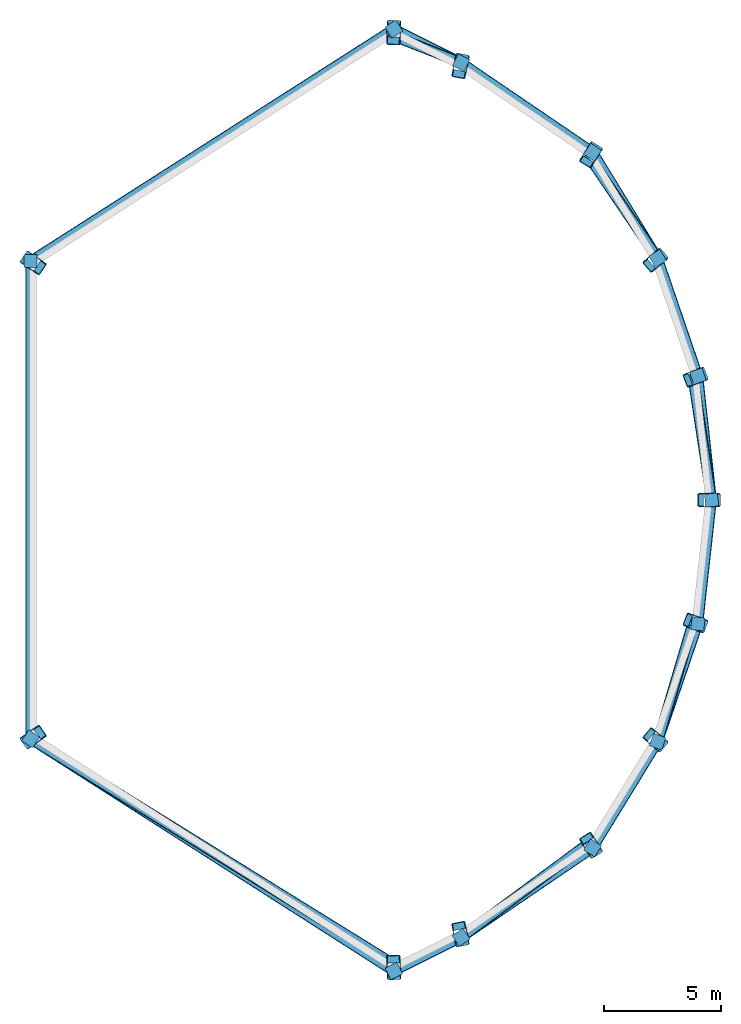
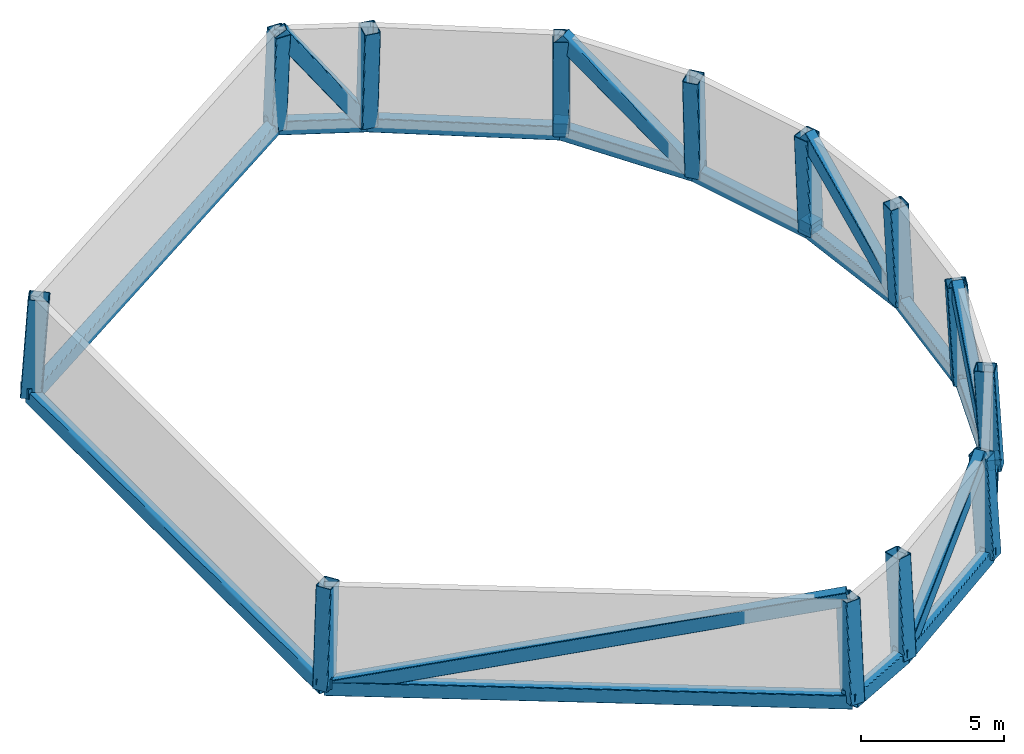
# One storey, part 1 of 2: 32 members, 13 discrete accessories.
"""IFC4 building model written with IfcOpenShell, lengths in metres."""

from ifc_helpers import new_model, si_unit, direction, frame, origin, origin_2d, place, context, subcontext, project, spatial, rectangle, hollow_rectangle, extrude, material, material_profile, profile_set, type_object, element, save


model = new_model("IFC4")

# Units and contexts
model_context = context("Model", 3, precision=1e-05, world=origin(), true_north=direction((0.0, 1.0)))
body_context = subcontext(model_context, "Body", "Model", "MODEL_VIEW")
ifc_project = project(units=[si_unit("LENGTHUNIT", "METRE"), si_unit("AREAUNIT", "SQUARE_METRE"), si_unit("VOLUMEUNIT", "CUBIC_METRE"), si_unit("PLANEANGLEUNIT", "RADIAN"), si_unit("MASSUNIT", "GRAM", prefix="KILO")], contexts=[model_context])

# Site, building, storey
site_placement = place(None, origin())
site = spatial("IfcSite", under=ifc_project, at=site_placement, CompositionType="ELEMENT")
building_placement = place(site_placement, origin())
building = spatial("IfcBuilding", under=site, at=building_placement, Name="Qorvath Tower", CompositionType="ELEMENT")
storey_placement = place(building_placement, frame((0.0, 0.0, 331.199951171875)))
storey = spatial("IfcBuildingStorey", under=building, at=storey_placement, Name="L77", CompositionType="ELEMENT", Elevation=331.199951171875)

# Members
ifc_material_1 = material(Name="Steel ASTM A572 Grade 50", Category="steel")
ifc_material_profile_1 = material_profile(ifc_material_1, hollow_rectangle(XDim=0.60009765625, YDim=0.75, WallThickness=0.031982421875, InnerFilletRadius=0.031982421875, OuterFilletRadius=0.06396484375, at=origin_2d()), Name="CROWN BOX 750x600x32")
ifc_profile_set_1 = profile_set([ifc_material_profile_1], Name="Steel ASTM A572 Grade 50")
member_type_1 = type_object("IfcMemberType", Name="MEM-CF1", PredefinedType="USERDEFINED", material=ifc_profile_set_1)
for number, where, z_axis, x_axis, name in (
    (1, (-34.725830078125, 10.2099609375, 0.0), (0.053308422314, -0.036950451593, 0.997894220966), (0.569674928539, 0.821870108834, 0.0), "CROWN FRAME Post L77-01"),
    (2, (-34.725830078125, -10.2099609375, 0.0), (0.053308422314, 0.036950451593, 0.997894220966), (-0.569674928539, 0.821870108834, 0.0), "CROWN FRAME Post L77-02"),
):
    element("IfcMember", number, at=place(storey_placement, frame(where, z_axis=z_axis, x_axis=x_axis)), inside=storey, type_object=member_type_1, Name=name, ObjectType="CROWN FRAME", PredefinedType="USERDEFINED", context=body_context, shape_type="SweptSolid", body=[
        extrude(hollow_rectangle(XDim=0.60009765625, YDim=0.75, WallThickness=0.031982421875, InnerFilletRadius=0.031982421875, OuterFilletRadius=0.06396484375, at=origin_2d()), origin(), (0.0, 0.0, 1.0), 4.208740234375),
    ])
member_1_placement = place(storey_placement, frame((-19.19873046875, -20.133544921875, 0.0), z_axis=(-0.002898741935, 0.072816397399, 0.997341150041), x_axis=(-0.999208565601, -0.039777411051, 0.0)))
element("IfcMember", 3, at=member_1_placement, inside=storey, type_object=member_type_1, Name="CROWN FRAME Post L77-03", ObjectType="CROWN FRAME", PredefinedType="USERDEFINED", context=body_context, shape_type="SweptSolid", body=[
    extrude(hollow_rectangle(XDim=0.60009765625, YDim=0.75, WallThickness=0.031982421875, InnerFilletRadius=0.031982421875, OuterFilletRadius=0.06396484375, at=origin_2d()), origin(), (0.0, 0.0, 1.0), 4.211181640625),
])
member_2_placement = place(storey_placement, frame((-16.322509765625, -18.695556640625, 0.0), z_axis=(-0.013337969735, 0.067617707439, 0.997622145005), x_axis=(-0.98109505447, -0.19352646872, 0.0)))
element("IfcMember", 4, at=member_2_placement, inside=storey, type_object=member_type_1, Name="CROWN FRAME Post L77-04", ObjectType="CROWN FRAME", PredefinedType="USERDEFINED", context=body_context, shape_type="SweptSolid", body=[
    extrude(hollow_rectangle(XDim=0.60009765625, YDim=0.75, WallThickness=0.031982421875, InnerFilletRadius=0.031982421875, OuterFilletRadius=0.06396484375, at=origin_2d()), origin(), (0.0, 0.0, 1.0), 4.2099609375),
])
member_3_placement = place(storey_placement, frame((-10.701416015625, -14.869384765625, 0.0), z_axis=(-0.033647039232, 0.053835262771, 0.997982786041), x_axis=(-0.847998304005, -0.529998940003, 0.0)))
element("IfcMember", 5, at=member_3_placement, inside=storey, type_object=member_type_1, Name="CROWN FRAME Post L77-05", ObjectType="CROWN FRAME", PredefinedType="USERDEFINED", context=body_context, shape_type="SweptSolid", body=[
    extrude(hollow_rectangle(XDim=0.60009765625, YDim=0.75, WallThickness=0.031982421875, InnerFilletRadius=0.031982421875, OuterFilletRadius=0.06396484375, at=origin_2d()), origin(), (0.0, 0.0, 1.0), 4.20849609375),
])
member_4_placement = place(storey_placement, frame((-7.9228515625, -10.328369140625, 0.0), z_axis=(-0.043756935107, 0.037373297359, 0.998342910665), x_axis=(-0.649461555151, -0.760394429478, 0.0)))
element("IfcMember", 6, at=member_4_placement, inside=storey, type_object=member_type_1, Name="CROWN FRAME Post L77-06", ObjectType="CROWN FRAME", PredefinedType="USERDEFINED", context=body_context, shape_type="SweptSolid", body=[
    extrude(hollow_rectangle(XDim=0.60009765625, YDim=0.75, WallThickness=0.031982421875, InnerFilletRadius=0.031982421875, OuterFilletRadius=0.06396484375, at=origin_2d()), origin(), (0.0, 0.0, 1.0), 4.20703125),
])
member_5_placement = place(storey_placement, frame((-6.20068359375, -5.291259765625, 0.0), z_axis=(-0.049977670564, 0.019155204746, 0.99856662801), x_axis=(-0.357888732889, -0.933764239447, 0.0)))
element("IfcMember", 7, at=member_5_placement, inside=storey, type_object=member_type_1, Name="CROWN FRAME Post L77-07", ObjectType="CROWN FRAME", PredefinedType="USERDEFINED", context=body_context, shape_type="SweptSolid", body=[
    extrude(hollow_rectangle(XDim=0.60009765625, YDim=0.75, WallThickness=0.031982421875, InnerFilletRadius=0.031982421875, OuterFilletRadius=0.06396484375, at=origin_2d()), origin(), (0.0, 0.0, 1.0), 4.2060546875),
])
member_6_placement = place(storey_placement, frame((-5.6171875, 0.0, 0.0), z_axis=(-0.052071330648, 0.0, 0.998643368037), x_axis=(0.0, -1.0, 0.0)))
element("IfcMember", 8, at=member_6_placement, inside=storey, type_object=member_type_1, Name="CROWN FRAME Post L77-08", ObjectType="CROWN FRAME", PredefinedType="USERDEFINED", context=body_context, shape_type="SweptSolid", body=[
    extrude(hollow_rectangle(XDim=0.60009765625, YDim=0.75, WallThickness=0.031982421875, InnerFilletRadius=0.031982421875, OuterFilletRadius=0.06396484375, at=origin_2d()), origin(), (0.0, 0.0, 1.0), 4.20556640625),
])
member_7_placement = place(storey_placement, frame((-6.20068359375, 5.291259765625, 0.0), z_axis=(-0.049977670564, -0.019155204746, 0.99856662801), x_axis=(0.357888732889, -0.933764239447, 0.0)))
element("IfcMember", 9, at=member_7_placement, inside=storey, type_object=member_type_1, Name="CROWN FRAME Post L77-09", ObjectType="CROWN FRAME", PredefinedType="USERDEFINED", context=body_context, shape_type="SweptSolid", body=[
    extrude(hollow_rectangle(XDim=0.60009765625, YDim=0.75, WallThickness=0.031982421875, InnerFilletRadius=0.031982421875, OuterFilletRadius=0.06396484375, at=origin_2d()), origin(), (0.0, 0.0, 1.0), 4.2060546875),
])
member_8_placement = place(storey_placement, frame((-7.9228515625, 10.328369140625, 0.0), z_axis=(-0.043756935107, -0.037373297359, 0.998342910665), x_axis=(0.649461555151, -0.760394429478, 0.0)))
element("IfcMember", 10, at=member_8_placement, inside=storey, type_object=member_type_1, Name="CROWN FRAME Post L77-10", ObjectType="CROWN FRAME", PredefinedType="USERDEFINED", context=body_context, shape_type="SweptSolid", body=[
    extrude(hollow_rectangle(XDim=0.60009765625, YDim=0.75, WallThickness=0.031982421875, InnerFilletRadius=0.031982421875, OuterFilletRadius=0.06396484375, at=origin_2d()), origin(), (0.0, 0.0, 1.0), 4.20703125),
])
member_9_placement = place(storey_placement, frame((-10.701416015625, 14.869384765625, 0.0), z_axis=(-0.033647039232, -0.053835262771, 0.997982786041), x_axis=(0.847998304005, -0.529998940003, 0.0)))
element("IfcMember", 11, at=member_9_placement, inside=storey, type_object=member_type_1, Name="CROWN FRAME Post L77-11", ObjectType="CROWN FRAME", PredefinedType="USERDEFINED", context=body_context, shape_type="SweptSolid", body=[
    extrude(hollow_rectangle(XDim=0.60009765625, YDim=0.75, WallThickness=0.031982421875, InnerFilletRadius=0.031982421875, OuterFilletRadius=0.06396484375, at=origin_2d()), origin(), (0.0, 0.0, 1.0), 4.20849609375),
])
member_10_placement = place(storey_placement, frame((-16.322509765625, 18.695556640625, 0.0), z_axis=(-0.013337969735, -0.067617707439, 0.997622145005), x_axis=(0.98109505447, -0.19352646872, 0.0)))
element("IfcMember", 12, at=member_10_placement, inside=storey, type_object=member_type_1, Name="CROWN FRAME Post L77-12", ObjectType="CROWN FRAME", PredefinedType="USERDEFINED", context=body_context, shape_type="SweptSolid", body=[
    extrude(hollow_rectangle(XDim=0.60009765625, YDim=0.75, WallThickness=0.031982421875, InnerFilletRadius=0.031982421875, OuterFilletRadius=0.06396484375, at=origin_2d()), origin(), (0.0, 0.0, 1.0), 4.2099609375),
])
member_11_placement = place(storey_placement, frame((-19.19873046875, 20.133544921875, 0.0), z_axis=(-0.002898741935, -0.072816397399, 0.997341150041), x_axis=(0.999208565601, -0.039777411051, 0.0)))
element("IfcMember", 13, at=member_11_placement, inside=storey, type_object=member_type_1, Name="CROWN FRAME Post L77-13", ObjectType="CROWN FRAME", PredefinedType="USERDEFINED", context=body_context, shape_type="SweptSolid", body=[
    extrude(hollow_rectangle(XDim=0.60009765625, YDim=0.75, WallThickness=0.031982421875, InnerFilletRadius=0.031982421875, OuterFilletRadius=0.06396484375, at=origin_2d()), origin(), (0.0, 0.0, 1.0), 4.211181640625),
])
ifc_material_2 = material(Name="Steel ASTM A572 Grade 50", Category="steel")
ifc_material_profile_2 = material_profile(ifc_material_2, hollow_rectangle(XDim=0.449951171875, YDim=0.60009765625, WallThickness=0.02490234375, InnerFilletRadius=0.02490234375, OuterFilletRadius=0.050048828125, at=origin_2d()), Name="CROWN BOX 600x450x25")
ifc_profile_set_2 = profile_set([ifc_material_profile_2], Name="Steel ASTM A572 Grade 50")
member_type_2 = type_object("IfcMemberType", Name="MEM-CF2", PredefinedType="USERDEFINED", material=ifc_profile_set_2)
member_12_placement = place(storey_placement, frame((-34.725830078125, 10.2099609375, 0.0), z_axis=(0.0, -1.0, 0.0), x_axis=(1.0, 0.0, 0.0)))
element("IfcMember", 14, at=member_12_placement, inside=storey, type_object=member_type_2, Name="CROWN FRAME Ring Beam L77-01", ObjectType="CROWN FRAME", PredefinedType="USERDEFINED", context=body_context, shape_type="SweptSolid", body=[
    extrude(hollow_rectangle(XDim=0.449951171875, YDim=0.60009765625, WallThickness=0.02490234375, InnerFilletRadius=0.02490234375, OuterFilletRadius=0.050048828125, at=origin_2d()), origin(), (0.0, 0.0, 1.0), 20.419921875),
])
member_13_placement = place(storey_placement, frame((-34.725830078125, -10.2099609375, 0.0), z_axis=(0.842610258925, -0.538523863496, 0.0), x_axis=(0.538523863496, 0.842610258925, 0.0)))
element("IfcMember", 15, at=member_13_placement, inside=storey, type_object=member_type_2, Name="CROWN FRAME Ring Beam L77-02", ObjectType="CROWN FRAME", PredefinedType="USERDEFINED", context=body_context, shape_type="SweptSolid", body=[
    extrude(hollow_rectangle(XDim=0.449951171875, YDim=0.60009765625, WallThickness=0.02490234375, InnerFilletRadius=0.02490234375, OuterFilletRadius=0.050048828125, at=origin_2d()), origin(), (0.0, 0.0, 1.0), 18.427490234375),
])
member_14_placement = place(storey_placement, frame((-19.19873046875, -20.133544921875, 0.0), z_axis=(0.894442374974, 0.447183226262, 0.0), x_axis=(-0.447183226262, 0.894442374974, 0.0)))
element("IfcMember", 16, at=member_14_placement, inside=storey, type_object=member_type_2, Name="CROWN FRAME Ring Beam L77-03", ObjectType="CROWN FRAME", PredefinedType="USERDEFINED", context=body_context, shape_type="SweptSolid", body=[
    extrude(hollow_rectangle(XDim=0.449951171875, YDim=0.60009765625, WallThickness=0.02490234375, InnerFilletRadius=0.02490234375, OuterFilletRadius=0.050048828125, at=origin_2d()), origin(), (0.0, 0.0, 1.0), 3.215576171875),
])
member_15_placement = place(storey_placement, frame((-16.322509765625, -18.695556640625, 0.0), z_axis=(0.82666463191, 0.562694931867, 0.0), x_axis=(-0.562694931867, 0.82666463191, 0.0)))
element("IfcMember", 17, at=member_15_placement, inside=storey, type_object=member_type_2, Name="CROWN FRAME Ring Beam L77-04", ObjectType="CROWN FRAME", PredefinedType="USERDEFINED", context=body_context, shape_type="SweptSolid", body=[
    extrude(hollow_rectangle(XDim=0.449951171875, YDim=0.60009765625, WallThickness=0.02490234375, InnerFilletRadius=0.02490234375, OuterFilletRadius=0.050048828125, at=origin_2d()), origin(), (0.0, 0.0, 1.0), 6.7998046875),
])
member_16_placement = place(storey_placement, frame((-10.701416015625, -14.869384765625, 0.0), z_axis=(0.521928516533, 0.85298922832, 0.0), x_axis=(-0.85298922832, 0.521928516533, 0.0)))
element("IfcMember", 18, at=member_16_placement, inside=storey, type_object=member_type_2, Name="CROWN FRAME Ring Beam L77-05", ObjectType="CROWN FRAME", PredefinedType="USERDEFINED", context=body_context, shape_type="SweptSolid", body=[
    extrude(hollow_rectangle(XDim=0.449951171875, YDim=0.60009765625, WallThickness=0.02490234375, InnerFilletRadius=0.02490234375, OuterFilletRadius=0.050048828125, at=origin_2d()), origin(), (0.0, 0.0, 1.0), 5.32373046875),
])
member_17_placement = place(storey_placement, frame((-7.9228515625, -10.328369140625, 0.0), z_axis=(0.323510480625, 0.946224586938, 0.0), x_axis=(-0.946224586938, 0.323510480625, 0.0)))
element("IfcMember", 19, at=member_17_placement, inside=storey, type_object=member_type_2, Name="CROWN FRAME Ring Beam L77-06", ObjectType="CROWN FRAME", PredefinedType="USERDEFINED", context=body_context, shape_type="SweptSolid", body=[
    extrude(hollow_rectangle(XDim=0.449951171875, YDim=0.60009765625, WallThickness=0.02490234375, InnerFilletRadius=0.02490234375, OuterFilletRadius=0.050048828125, at=origin_2d()), origin(), (0.0, 0.0, 1.0), 5.323486328125),
])
for number, where, z_axis, x_axis, name in (
    (20, (-6.20068359375, -5.291259765625, 0.0), (0.109610999941, 0.993974561391, 0.0), (-0.993974561391, 0.109610999941, 0.0), "CROWN FRAME Ring Beam L77-07"),
    (21, (-5.6171875, 0.0, 0.0), (-0.109610999941, 0.993974561391, 0.0), (-0.993974561391, -0.109610999941, 0.0), "CROWN FRAME Ring Beam L77-08"),
):
    element("IfcMember", number, at=place(storey_placement, frame(where, z_axis=z_axis, x_axis=x_axis)), inside=storey, type_object=member_type_2, Name=name, ObjectType="CROWN FRAME", PredefinedType="USERDEFINED", context=body_context, shape_type="SweptSolid", body=[
        extrude(hollow_rectangle(XDim=0.449951171875, YDim=0.60009765625, WallThickness=0.02490234375, InnerFilletRadius=0.02490234375, OuterFilletRadius=0.050048828125, at=origin_2d()), origin(), (0.0, 0.0, 1.0), 5.3232421875),
    ])
member_18_placement = place(storey_placement, frame((-6.20068359375, 5.291259765625, 0.0), z_axis=(-0.323510480625, 0.946224586938, 0.0), x_axis=(-0.946224586938, -0.323510480625, 0.0)))
element("IfcMember", 22, at=member_18_placement, inside=storey, type_object=member_type_2, Name="CROWN FRAME Ring Beam L77-09", ObjectType="CROWN FRAME", PredefinedType="USERDEFINED", context=body_context, shape_type="SweptSolid", body=[
    extrude(hollow_rectangle(XDim=0.449951171875, YDim=0.60009765625, WallThickness=0.02490234375, InnerFilletRadius=0.02490234375, OuterFilletRadius=0.050048828125, at=origin_2d()), origin(), (0.0, 0.0, 1.0), 5.323486328125),
])
member_19_placement = place(storey_placement, frame((-7.9228515625, 10.328369140625, 0.0), z_axis=(-0.521928516533, 0.85298922832, 0.0), x_axis=(-0.85298922832, -0.521928516533, 0.0)))
element("IfcMember", 23, at=member_19_placement, inside=storey, type_object=member_type_2, Name="CROWN FRAME Ring Beam L77-10", ObjectType="CROWN FRAME", PredefinedType="USERDEFINED", context=body_context, shape_type="SweptSolid", body=[
    extrude(hollow_rectangle(XDim=0.449951171875, YDim=0.60009765625, WallThickness=0.02490234375, InnerFilletRadius=0.02490234375, OuterFilletRadius=0.050048828125, at=origin_2d()), origin(), (0.0, 0.0, 1.0), 5.32373046875),
])
member_20_placement = place(storey_placement, frame((-10.701416015625, 14.869384765625, 0.0), z_axis=(-0.82666463191, 0.562694931867, 0.0), x_axis=(-0.562694931867, -0.82666463191, 0.0)))
element("IfcMember", 24, at=member_20_placement, inside=storey, type_object=member_type_2, Name="CROWN FRAME Ring Beam L77-11", ObjectType="CROWN FRAME", PredefinedType="USERDEFINED", context=body_context, shape_type="SweptSolid", body=[
    extrude(hollow_rectangle(XDim=0.449951171875, YDim=0.60009765625, WallThickness=0.02490234375, InnerFilletRadius=0.02490234375, OuterFilletRadius=0.050048828125, at=origin_2d()), origin(), (0.0, 0.0, 1.0), 6.7998046875),
])
member_21_placement = place(storey_placement, frame((-16.322509765625, 18.695556640625, 0.0), z_axis=(-0.894442374974, 0.447183226262, 0.0), x_axis=(-0.447183226262, -0.894442374974, 0.0)))
element("IfcMember", 25, at=member_21_placement, inside=storey, type_object=member_type_2, Name="CROWN FRAME Ring Beam L77-12", ObjectType="CROWN FRAME", PredefinedType="USERDEFINED", context=body_context, shape_type="SweptSolid", body=[
    extrude(hollow_rectangle(XDim=0.449951171875, YDim=0.60009765625, WallThickness=0.02490234375, InnerFilletRadius=0.02490234375, OuterFilletRadius=0.050048828125, at=origin_2d()), origin(), (0.0, 0.0, 1.0), 3.215576171875),
])
member_22_placement = place(storey_placement, frame((-19.19873046875, 20.133544921875, 0.0), z_axis=(-0.842610258925, -0.538523863496, 0.0), x_axis=(0.538523863496, -0.842610258925, 0.0)))
element("IfcMember", 26, at=member_22_placement, inside=storey, type_object=member_type_2, Name="CROWN FRAME Ring Beam L77-13", ObjectType="CROWN FRAME", PredefinedType="USERDEFINED", context=body_context, shape_type="SweptSolid", body=[
    extrude(hollow_rectangle(XDim=0.449951171875, YDim=0.60009765625, WallThickness=0.02490234375, InnerFilletRadius=0.02490234375, OuterFilletRadius=0.050048828125, at=origin_2d()), origin(), (0.0, 0.0, 1.0), 18.427490234375),
])
member_23_placement = place(storey_placement, frame((-34.725830078125, -10.2099609375, 0.0), z_axis=(0.828315958025, -0.513433632356, 0.224228853733), x_axis=(0.526849044535, 0.849958872107, 0.0)))
element("IfcMember", 27, at=member_23_placement, inside=storey, type_object=member_type_2, Name="CROWN FRAME Diagonal Brace L77-02", ObjectType="CROWN FRAME", PredefinedType="USERDEFINED", context=body_context, shape_type="SweptSolid", body=[
    extrude(hollow_rectangle(XDim=0.449951171875, YDim=0.60009765625, WallThickness=0.02490234375, InnerFilletRadius=0.02490234375, OuterFilletRadius=0.050048828125, at=origin_2d()), origin(), (0.0, 0.0, 1.0), 18.730712890625),
])
member_24_placement = place(storey_placement, frame((-16.322509765625, -18.695556640625, 0.0), z_axis=(0.684460345351, 0.506239606702, 0.524628912898), x_axis=(-0.59464485078, 0.803988495838, 0.0)))
element("IfcMember", 28, at=member_24_placement, inside=storey, type_object=member_type_2, Name="CROWN FRAME Diagonal Brace L77-04", ObjectType="CROWN FRAME", PredefinedType="USERDEFINED", context=body_context, shape_type="SweptSolid", body=[
    extrude(hollow_rectangle(XDim=0.449951171875, YDim=0.60009765625, WallThickness=0.02490234375, InnerFilletRadius=0.02490234375, OuterFilletRadius=0.050048828125, at=origin_2d()), origin(), (0.0, 0.0, 1.0), 8.005615234375),
])
member_25_placement = place(storey_placement, frame((-7.9228515625, -10.328369140625, 0.0), z_axis=(0.222645667103, 0.753608666852, 0.618468175549), x_axis=(-0.959021663589, 0.283332752724, 0.0)))
element("IfcMember", 29, at=member_25_placement, inside=storey, type_object=member_type_2, Name="CROWN FRAME Diagonal Brace L77-06", ObjectType="CROWN FRAME", PredefinedType="USERDEFINED", context=body_context, shape_type="SweptSolid", body=[
    extrude(hollow_rectangle(XDim=0.449951171875, YDim=0.60009765625, WallThickness=0.02490234375, InnerFilletRadius=0.02490234375, OuterFilletRadius=0.050048828125, at=origin_2d()), origin(), (0.0, 0.0, 1.0), 6.790771484375),
])
member_26_placement = place(storey_placement, frame((-5.6171875, 0.0, 0.0), z_axis=(-0.117768533023, 0.77315712098, 0.623184273636), x_axis=(-0.988597111431, -0.150584697993, 0.0)))
element("IfcMember", 30, at=member_26_placement, inside=storey, type_object=member_type_2, Name="CROWN FRAME Diagonal Brace L77-08", ObjectType="CROWN FRAME", PredefinedType="USERDEFINED", context=body_context, shape_type="SweptSolid", body=[
    extrude(hollow_rectangle(XDim=0.449951171875, YDim=0.60009765625, WallThickness=0.02490234375, InnerFilletRadius=0.02490234375, OuterFilletRadius=0.050048828125, at=origin_2d()), origin(), (0.0, 0.0, 1.0), 6.739501953125),
])
member_27_placement = place(storey_placement, frame((-7.9228515625, 10.328369140625, 0.0), z_axis=(-0.436373524135, 0.644728109565, 0.627617568405), x_axis=(-0.828143941962, -0.560515487201, 0.0)))
element("IfcMember", 31, at=member_27_placement, inside=storey, type_object=member_type_2, Name="CROWN FRAME Diagonal Brace L77-10", ObjectType="CROWN FRAME", PredefinedType="USERDEFINED", context=body_context, shape_type="SweptSolid", body=[
    extrude(hollow_rectangle(XDim=0.449951171875, YDim=0.60009765625, WallThickness=0.02490234375, InnerFilletRadius=0.02490234375, OuterFilletRadius=0.050048828125, at=origin_2d()), origin(), (0.0, 0.0, 1.0), 6.69189453125),
])
member_28_placement = place(storey_placement, frame((-16.322509765625, 18.695556640625, 0.0), z_axis=(-0.553195007207, 0.216677006457, 0.804379486855), x_axis=(-0.36470497648, -0.931123128341, 0.0)))
element("IfcMember", 32, at=member_28_placement, inside=storey, type_object=member_type_2, Name="CROWN FRAME Diagonal Brace L77-12", ObjectType="CROWN FRAME", PredefinedType="USERDEFINED", context=body_context, shape_type="SweptSolid", body=[
    extrude(hollow_rectangle(XDim=0.449951171875, YDim=0.60009765625, WallThickness=0.02490234375, InnerFilletRadius=0.02490234375, OuterFilletRadius=0.050048828125, at=origin_2d()), origin(), (0.0, 0.0, 1.0), 5.221435546875),
])

# Discrete accessories
ifc_material_3 = material(Name="Galvanised steel bracket", Category="steel")
discrete_accessory_type = type_object("IfcDiscreteAccessoryType", Name="DA-BRACKET", PredefinedType="BRACKET", material=ifc_material_3)
for number, where, z_axis, x_axis, name in (
    (33, (-34.725830078125, 10.2099609375, 0.0400390625), (0.0, 0.0, 1.0), (0.0, -1.0, 0.0), "Crown Screen Mounting Bracket L77-01"),
    (34, (-34.725830078125, -10.2099609375, 0.0400390625), (0.0, 0.0, 1.0), (0.842609396732, -0.538525212537, 0.0), "Crown Screen Mounting Bracket L77-02"),
    (35, (-19.19873046875, -20.133544921875, 0.0400390625), (0.0, 0.0, 1.0), (0.894439298152, 0.447189380377, 0.0), "Crown Screen Mounting Bracket L77-03"),
    (36, (-16.322509765625, -18.695556640625, 0.0400390625), (0.0, 0.0, 1.0), (0.8266663593, 0.562692394121, 0.0), "Crown Screen Mounting Bracket L77-04"),
    (37, (-10.701416015625, -14.869384765625, 0.0400390625), (0.0, 0.0, 1.0), (0.521924024988, 0.852991976598, 0.0), "Crown Screen Mounting Bracket L77-05"),
    (38, (-7.9228515625, -10.328369140625, 0.0400390625), (0.0, 0.0, 1.0), (0.32353265473, 0.946217005408, 0.0), "Crown Screen Mounting Bracket L77-06"),
    (39, (-6.20068359375, -5.291259765625, 0.0400390625), (0.0, 0.0, 1.0), (0.109583383172, 0.993977606454, 0.0), "Crown Screen Mounting Bracket L77-07"),
    (40, (-5.6171875, 0.0, 0.0400390625), (0.0, 0.0, 1.0), (-0.109583383172, 0.993977606454, 0.0), "Crown Screen Mounting Bracket L77-08"),
    (41, (-6.20068359375, 5.291259765625, 0.0400390625), (0.0, 0.0, 1.0), (-0.32353265473, 0.946217005408, 0.0), "Crown Screen Mounting Bracket L77-09"),
    (42, (-7.9228515625, 10.328369140625, 0.0400390625), (0.0, 0.0, 1.0), (-0.521924024988, 0.852991976598, 0.0), "Crown Screen Mounting Bracket L77-10"),
    (43, (-10.701416015625, 14.869384765625, 0.0400390625), (0.0, 0.0, 1.0), (-0.8266663593, 0.562692394121, 0.0), "Crown Screen Mounting Bracket L77-11"),
    (44, (-16.322509765625, 18.695556640625, 0.0400390625), (0.0, 0.0, 1.0), (-0.894439298152, 0.447189380377, 0.0), "Crown Screen Mounting Bracket L77-12"),
    (45, (-19.19873046875, 20.133544921875, 0.0400390625), (0.0, 0.0, 1.0), (-0.842609396732, -0.538525212537, 0.0), "Crown Screen Mounting Bracket L77-13"),
):
    element("IfcDiscreteAccessory", number, at=place(storey_placement, frame(where, z_axis=z_axis, x_axis=x_axis)), inside=storey, type_object=discrete_accessory_type, Name=name, PredefinedType="NOTDEFINED", context=body_context, shape_type="SweptSolid", body=[
        extrude(rectangle(XDim=0.56005859375, YDim=0.56005859375, at=origin_2d()), origin(), (0.0, 0.0, 1.0), 0.419921875),
    ])

save(model, "model.ifc")
